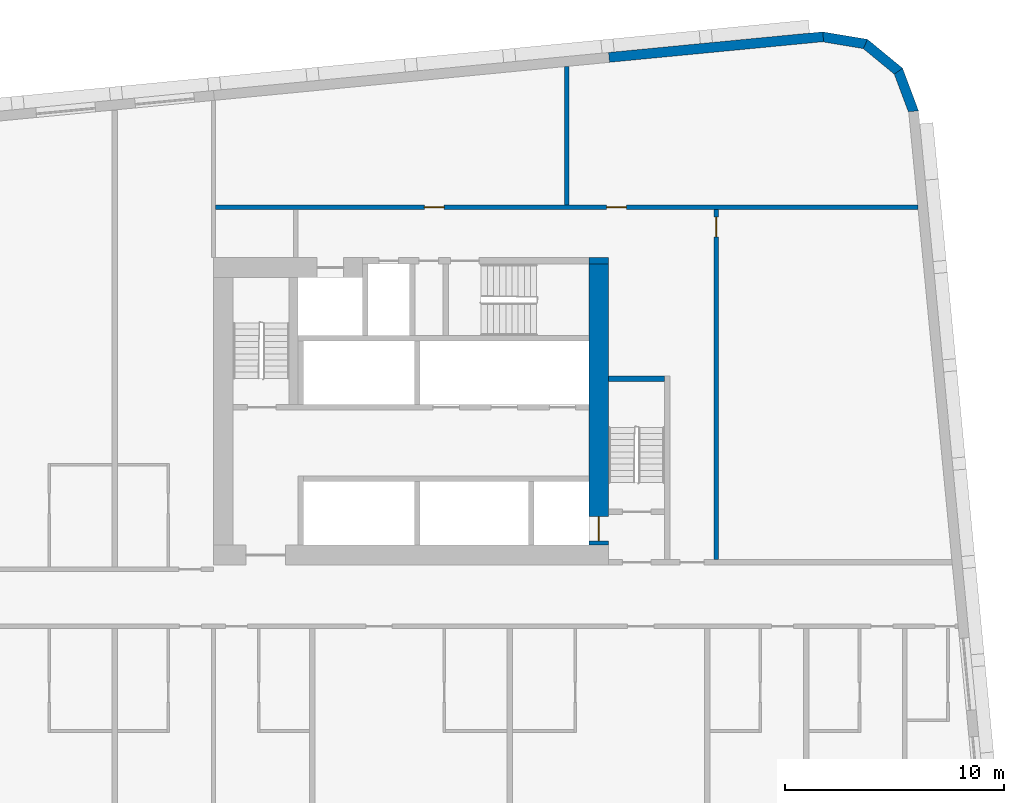
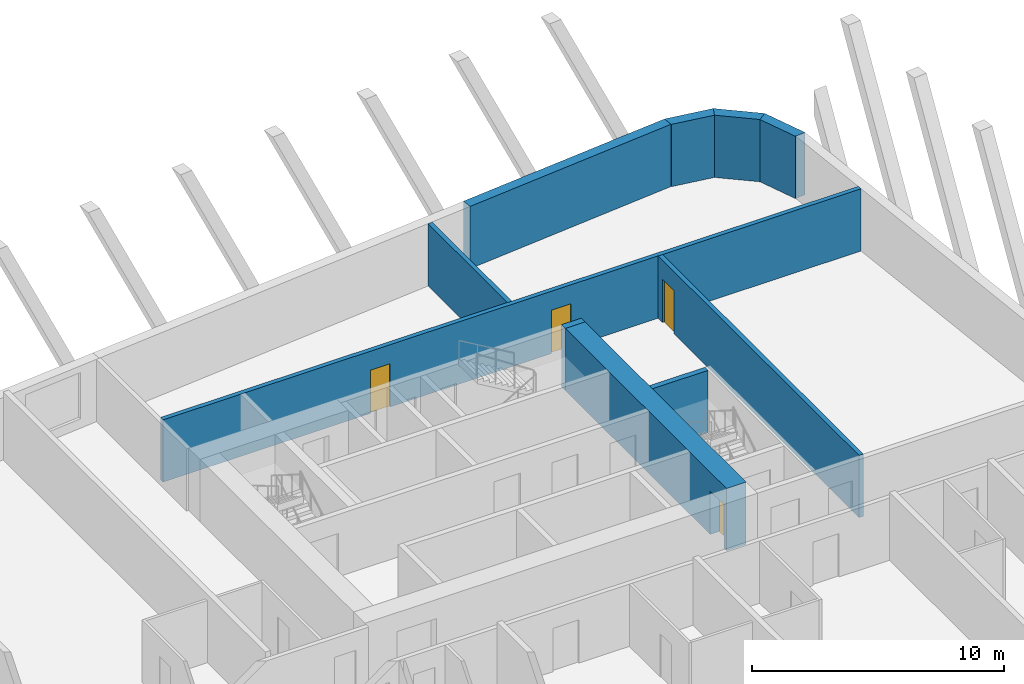
# One storey, part 8 of 13: 10 walls, 4 doors, 4 openings.
"""IFC4 building model written with IfcOpenShell, lengths in metres."""

from ifc_helpers import new_model, si_unit, direction, frame, frame_2d, origin, place, context, subcontext, project, spatial, polyline, rectangle, outline, extrude, material, layer, layer_set, type_object, element, fill, save


model = new_model("IFC4")

# Units and contexts
model_context = context("Model", 3, precision=1e-05, world=origin(), true_north=direction((0.0, 1.0)))
body_context = subcontext(model_context, "Body", "Model", "MODEL_VIEW")
ifc_project = project(units=[si_unit("LENGTHUNIT", "METRE"), si_unit("AREAUNIT", "SQUARE_METRE"), si_unit("VOLUMEUNIT", "CUBIC_METRE"), si_unit("PLANEANGLEUNIT", "RADIAN"), si_unit("MASSUNIT", "GRAM", prefix="KILO")], contexts=[model_context])

# Site, building, storey
site_placement = place(None, origin())
site = spatial("IfcSite", under=ifc_project, at=site_placement, CompositionType="ELEMENT")
building_placement = place(site_placement, origin())
building = spatial("IfcBuilding", under=site, at=building_placement, Name="Kajstack Hotel Tower", CompositionType="ELEMENT")
storey_placement = place(building_placement, frame((0.0, 0.0, 110.800048828125)))
storey = spatial("IfcBuildingStorey", under=building, at=storey_placement, Name="L23", CompositionType="ELEMENT", Elevation=110.800048828125)

# Wall
ifc_material_1 = material(Name="Concrete C60/75", Category="concrete")
ifc_layer_1 = layer(ifc_material_1, 0.89990234375)
ifc_layer_set_1 = layer_set([ifc_layer_1], Name="Core wall 900")
wall_type_1 = type_object("IfcWallType", Name="Core wall 900", PredefinedType="SHEAR", material=ifc_layer_set_1)
wall_1_placement = place(storey_placement, frame((30.60009765625, 15.35009765625, 0.0), z_axis=(0.0, 0.0, 1.0), x_axis=(1.0, 0.0, 0.0)))
element("IfcWall", 1, at=wall_1_placement, inside=storey, type_object=wall_type_1, Name="Core wall E RSW", PredefinedType="SHEAR", context=body_context, shape_type="SweptSolid", body=[
    extrude(rectangle(XDim=0.89990234375, YDim=0.300048828125, at=frame_2d((0.449951171875, 0.0))), origin(), (0.0, 0.0, 1.0), 3.02001953125),
])

# Wall, opening, door
wall_2_placement = place(storey_placement, frame((31.050048828125, 2.39990234375, 0.0), z_axis=(0.0, 0.0, 1.0), x_axis=(0.0, 1.0, 0.0)))
wall_2 = element("IfcWall", 2, at=wall_2_placement, inside=storey, type_object=wall_type_1, Name="Core wall E RW", PredefinedType="SHEAR", context=body_context, shape_type="SweptSolid", body=[
    extrude(rectangle(XDim=12.800048828125, YDim=0.89990234375, at=frame_2d((6.39990234375, 0.0))), origin(), (0.0, 0.0, 1.0), 3.02001953125),
])
opening_1_placement = place(wall_2_placement, frame((0.199951171875, 0.0, 0.0)))
opening_1 = element("IfcOpeningElement", 3, at=opening_1_placement, cuts=wall_2, Name="Opening LD-FF2", PredefinedType="OPENING", context=body_context, shape_type="SweptSolid", body=[
    extrude(rectangle(XDim=1.10009765625, YDim=2.10009765625, at=frame_2d((0.550048828125, 1.050048828125))), frame((0.0, 0.4599609375, 0.0), z_axis=(0.0, -1.0, 0.0), x_axis=(1.0, 0.0, 0.0)), (0.0, 0.0, 1.0), 0.919921875),
])
ifc_material_2 = material(Name="Stainless steel", Category="steel")
door_type_1 = type_object("IfcDoorType", Name="Fire-fighting lift landing door 1100", OperationType="SLIDING_TO_LEFT", PredefinedType="DOOR", material=ifc_material_2)
door_1_placement = place(opening_1_placement, origin())
door_1 = element("IfcDoor", 4, at=door_1_placement, inside=storey, type_object=door_type_1, Name="Landing door FF2", OperationType="SLIDING_TO_LEFT", OverallHeight=2.10009765625, OverallWidth=1.10009765625, PredefinedType="DOOR", context=body_context, shape_type="SweptSolid", body=[
    extrude(rectangle(XDim=1.10009765625, YDim=2.10009765625, at=frame_2d((0.550048828125, 1.050048828125))), frame((0.0, 0.02490234375, 0.0), z_axis=(0.0, -1.0, 0.0), x_axis=(1.0, 0.0, 0.0)), (0.0, 0.0, 1.0), 0.050048828125),
])
fill(opening_1, door_1)

# Walls
ifc_material_3 = material(Name="Terracotta-faced brick masonry", Category="masonry")
ifc_layer_2 = layer(ifc_material_3, 0.449951171875)
ifc_layer_set_2 = layer_set([ifc_layer_2], Name="EW-TERRA")
wall_type_2 = type_object("IfcWallType", Name="EW-TERRA", PredefinedType="SOLIDWALL", material=ifc_layer_set_2)
wall_3_placement = place(storey_placement, frame((45.41162109375, 22.10986328125, 0.0), z_axis=(0.0, 0.0, 1.0), x_axis=(-0.350192909346, 0.936677599948, 0.0)))
element("IfcWall", 5, at=wall_3_placement, inside=storey, type_object=wall_type_2, Name="E-wall-L23-09-00", PredefinedType="SOLIDWALL", context=body_context, shape_type="SweptSolid", body=[
    extrude(outline(polyline([(0.0, -0.22509765625), (2.070556640625, -0.22509765625), (1.949951171875, 0.224853515625), (0.12060546875, 0.224853515625), (0.0, -0.22509765625)])), origin(), (0.0, 0.0, 1.0), 3.02001953125),
])
wall_4_placement = place(storey_placement, frame((44.754150390625, 23.95458984375, 0.0), z_axis=(0.0, 0.0, 1.0), x_axis=(-0.771651049663, 0.636046112757, 0.0)))
element("IfcWall", 6, at=wall_4_placement, inside=storey, type_object=wall_type_2, Name="E-wall-L23-10-00", PredefinedType="SOLIDWALL", context=body_context, shape_type="SweptSolid", body=[
    extrude(outline(polyline([(0.0, -0.22509765625), (2.070556640625, -0.22509765625), (1.949951171875, 0.224853515625), (0.12060546875, 0.22509765625), (0.0, -0.22509765625)])), origin(), (0.0, 0.0, 1.0), 3.02001953125),
])
wall_5_placement = place(storey_placement, frame((43.262451171875, 25.223388671875, 0.0), z_axis=(0.0, 0.0, 1.0), x_axis=(-0.986298144721, 0.164972633245, 0.0)))
element("IfcWall", 7, at=wall_5_placement, inside=storey, type_object=wall_type_2, Name="E-wall-L23-11-00", PredefinedType="SOLIDWALL", context=body_context, shape_type="SweptSolid", body=[
    extrude(outline(polyline([(0.0, -0.224853515625), (2.070556640625, -0.22509765625), (1.949951171875, 0.22509765625), (0.12060546875, 0.22509765625), (0.0, -0.224853515625)])), origin(), (0.0, 0.0, 1.0), 3.02001953125),
])
wall_6_placement = place(storey_placement, frame((41.279052734375, 25.56298828125, 0.0), z_axis=(0.0, 0.0, 1.0), x_axis=(-0.995394735506, -0.095860943703, 0.0)))
element("IfcWall", 8, at=wall_6_placement, inside=storey, type_object=wall_type_2, Name="E-wall-L23-12-00", PredefinedType="SOLIDWALL", context=body_context, shape_type="SweptSolid", body=[
    extrude(rectangle(XDim=9.802734375, YDim=0.449951171875, at=frame_2d((4.9013671875, 0.0))), origin(), (0.0, 0.0, 1.0), 3.02001953125),
])

# Wall, opening, door
ifc_material_4 = material(Name="Gypsum board on steel studs, mineral wool", Category="steel")
ifc_layer_3 = layer(ifc_material_4, 0.199951171875)
ifc_layer_set_3 = layer_set([ifc_layer_3], Name="Service partition 200")
wall_type_3 = type_object("IfcWallType", Name="Service partition 200", PredefinedType="PARTITIONING", material=ifc_layer_set_3)
wall_7_placement = place(storey_placement, frame((36.39990234375, 1.75, 0.0), z_axis=(0.0, 0.0, 1.0), x_axis=(0.0, 1.0, 0.0)))
wall_7 = element("IfcWall", 9, at=wall_7_placement, inside=storey, type_object=wall_type_3, Name="Partition E WRE", PredefinedType="PARTITIONING", context=body_context, shape_type="SweptSolid", body=[
    extrude(rectangle(XDim=15.949951171875, YDim=0.199951171875, at=frame_2d((7.97509765625, 0.0))), origin(), (0.0, 0.0, 1.0), 3.02001953125),
])
opening_2_placement = place(wall_7_placement, frame((14.699951171875, 0.0, 0.0)))
opening_2 = element("IfcOpeningElement", 10, at=opening_2_placement, cuts=wall_7, Name="Opening 23E16", PredefinedType="OPENING", context=body_context, shape_type="SweptSolid", body=[
    extrude(rectangle(XDim=0.89990234375, YDim=2.10009765625, at=frame_2d((0.449951171875, 1.050048828125))), frame((0.0, 0.10986328125, 0.0), z_axis=(0.0, -1.0, 0.0), x_axis=(1.0, 0.0, 0.0)), (0.0, 0.0, 1.0), 0.219970703125),
])
ifc_material_5 = material(Name="Timber leaf, fire-rated", Category="wood")
door_type_2 = type_object("IfcDoorType", Name="Service door 900", OperationType="SINGLE_SWING_LEFT", PredefinedType="DOOR", material=ifc_material_5)
door_2_placement = place(opening_2_placement, origin())
door_2 = element("IfcDoor", 11, at=door_2_placement, inside=storey, type_object=door_type_2, Name="Door 23E16", OperationType="SINGLE_SWING_RIGHT", OverallHeight=2.10009765625, OverallWidth=0.89990234375, PredefinedType="DOOR", context=body_context, shape_type="SweptSolid", body=[
    extrude(rectangle(XDim=0.89990234375, YDim=2.10009765625, at=frame_2d((0.449951171875, 1.050048828125))), frame((0.0, 0.02490234375, 0.0), z_axis=(0.0, -1.0, 0.0), x_axis=(1.0, 0.0, 0.0)), (0.0, 0.0, 1.0), 0.050048828125),
])
fill(opening_2, door_2)

# Wall, openings, doors
wall_8_placement = place(storey_placement, frame((13.60009765625, 17.800048828125, 0.0), z_axis=(0.0, 0.0, 1.0), x_axis=(1.0, 0.0, 0.0)))
wall_8 = element("IfcWall", 12, at=wall_8_placement, inside=storey, type_object=wall_type_3, Name="Partition E SLN", PredefinedType="PARTITIONING", context=body_context, shape_type="SweptSolid", body=[
    extrude(rectangle(XDim=31.992919921875, YDim=0.199951171875, at=frame_2d((15.99658203125, 0.0))), origin(), (0.0, 0.0, 1.0), 3.02001953125),
])
opening_3_placement = place(wall_8_placement, frame((17.8125, 0.0, 0.0)))
opening_3 = element("IfcOpeningElement", 13, at=opening_3_placement, cuts=wall_8, Name="Opening 23E14", PredefinedType="OPENING", context=body_context, shape_type="SweptSolid", body=[
    extrude(rectangle(XDim=0.89990234375, YDim=2.10009765625, at=frame_2d((0.449951171875, 1.050048828125))), frame((0.0, 0.10986328125, 0.0), z_axis=(0.0, -1.0, 0.0), x_axis=(1.0, 0.0, 0.0)), (0.0, 0.0, 1.0), 0.219970703125),
])
opening_4_placement = place(wall_8_placement, frame((9.512451171875, 0.0, 0.0)))
opening_4 = element("IfcOpeningElement", 14, at=opening_4_placement, cuts=wall_8, Name="Opening 23E15", PredefinedType="OPENING", context=body_context, shape_type="SweptSolid", body=[
    extrude(rectangle(XDim=0.89990234375, YDim=2.10009765625, at=frame_2d((0.449951171875, 1.050048828125))), frame((0.0, 0.10986328125, 0.0), z_axis=(0.0, -1.0, 0.0), x_axis=(1.0, 0.0, 0.0)), (0.0, 0.0, 1.0), 0.219970703125),
])
door_3_placement = place(opening_3_placement, origin())
door_3 = element("IfcDoor", 15, at=door_3_placement, inside=storey, type_object=door_type_2, Name="Door 23E14", OperationType="SINGLE_SWING_LEFT", OverallHeight=2.10009765625, OverallWidth=0.89990234375, PredefinedType="DOOR", context=body_context, shape_type="SweptSolid", body=[
    extrude(rectangle(XDim=0.89990234375, YDim=2.10009765625, at=frame_2d((0.449951171875, 1.050048828125))), frame((0.0, 0.02490234375, 0.0), z_axis=(0.0, -1.0, 0.0), x_axis=(1.0, 0.0, 0.0)), (0.0, 0.0, 1.0), 0.050048828125),
])
fill(opening_3, door_3)
door_4_placement = place(opening_4_placement, origin())
door_4 = element("IfcDoor", 16, at=door_4_placement, inside=storey, type_object=door_type_2, Name="Door 23E15", OperationType="SINGLE_SWING_LEFT", OverallHeight=2.10009765625, OverallWidth=0.89990234375, PredefinedType="DOOR", context=body_context, shape_type="SweptSolid", body=[
    extrude(rectangle(XDim=0.89990234375, YDim=2.10009765625, at=frame_2d((0.449951171875, 1.050048828125))), frame((0.0, 0.02490234375, 0.0), z_axis=(0.0, -1.0, 0.0), x_axis=(1.0, 0.0, 0.0)), (0.0, 0.0, 1.0), 0.050048828125),
])
fill(opening_4, door_4)

# Walls
wall_9_placement = place(storey_placement, frame((29.60009765625, 17.89990234375, 0.0), z_axis=(0.0, 0.0, 1.0), x_axis=(0.0, 1.0, 0.0)))
element("IfcWall", 17, at=wall_9_placement, inside=storey, type_object=wall_type_3, Name="Partition E SLP0", PredefinedType="PARTITIONING", context=body_context, shape_type="SweptSolid", body=[
    extrude(rectangle(XDim=6.3134765625, YDim=0.199951171875, at=frame_2d((3.15673828125, 0.0))), origin(), (0.0, 0.0, 1.0), 3.02001953125),
])
ifc_material_6 = material(Name="Concrete C40/50", Category="concrete")
ifc_layer_4 = layer(ifc_material_6, 0.25)
ifc_layer_set_4 = layer_set([ifc_layer_4], Name="Stair enclosure wall 250")
wall_type_4 = type_object("IfcWallType", Name="Stair enclosure wall 250", PredefinedType="SHEAR", material=ifc_layer_set_4)
wall_10_placement = place(storey_placement, frame((31.5, 9.97509765625, 0.0), z_axis=(0.0, 0.0, 1.0), x_axis=(1.0, 0.0, 0.0)))
element("IfcWall", 18, at=wall_10_placement, inside=storey, type_object=wall_type_4, Name="Core wall E W1S", PredefinedType="SHEAR", context=body_context, shape_type="SweptSolid", body=[
    extrude(rectangle(XDim=2.550048828125, YDim=0.25, at=frame_2d((1.27490234375, 0.0))), origin(), (0.0, 0.0, 1.0), 3.02001953125),
])

save(model, "model.ifc")
